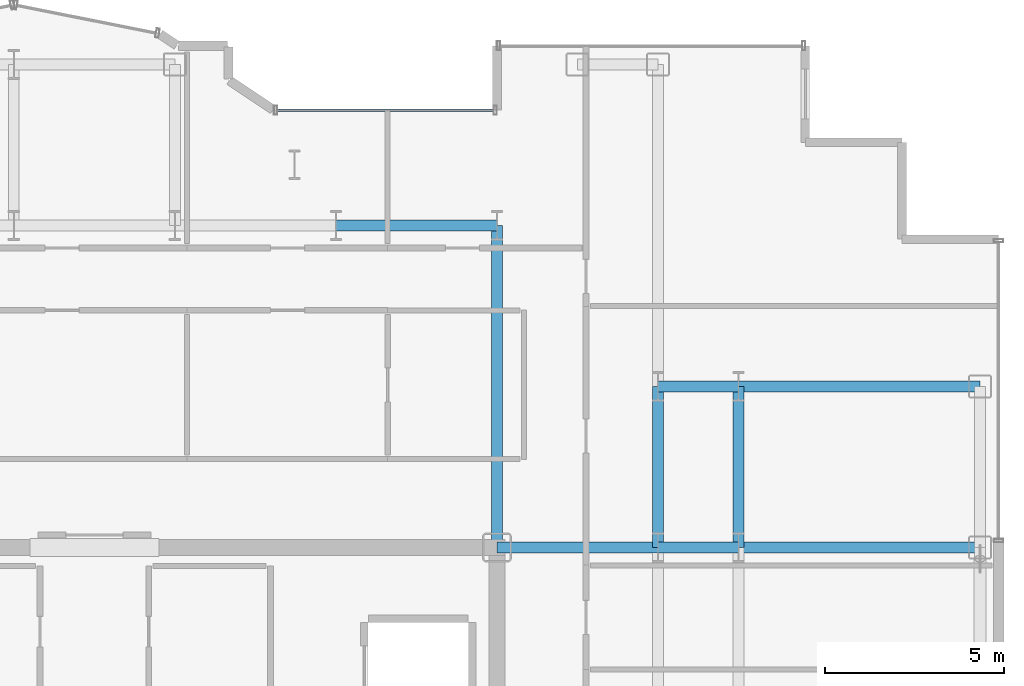
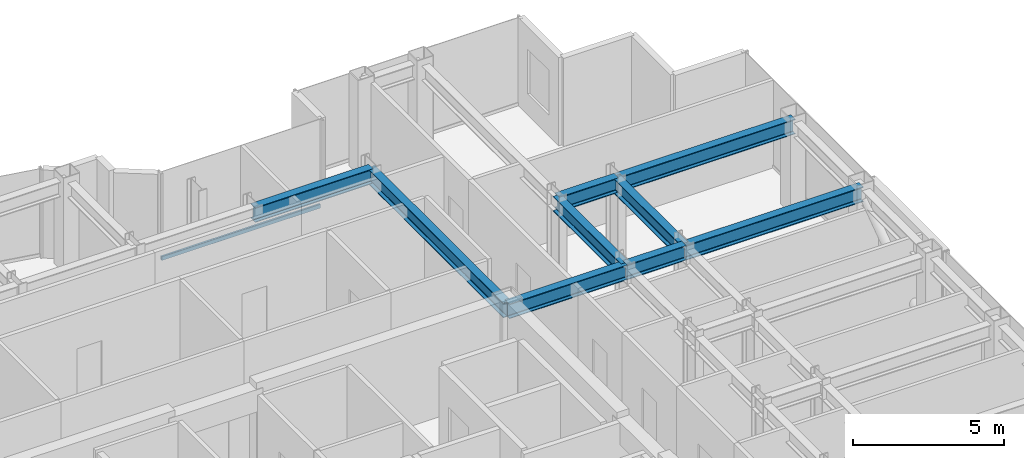
# One storey, part 12 of 21: 9 beams, 1 member, 1 element without a shape of its own.
"""IFC4 building model written with IfcOpenShell, lengths in metres."""

from ifc_helpers import new_model, si_unit, direction, frame, origin, origin_2d, place, context, subcontext, project, spatial, hollow_rectangle, i_section, extrude, source, transform, mapped, material, layer, layer_set, material_profile, profile_set, type_object, element, aggregate, save


model = new_model("IFC4")

# Units and contexts
model_context = context("Model", 3, precision=1e-05, world=origin(), true_north=direction((0.0, 1.0)))
body_context = subcontext(model_context, "Body", "Model", "MODEL_VIEW")
ifc_project = project(units=[si_unit("LENGTHUNIT", "METRE"), si_unit("AREAUNIT", "SQUARE_METRE"), si_unit("VOLUMEUNIT", "CUBIC_METRE"), si_unit("PLANEANGLEUNIT", "RADIAN"), si_unit("MASSUNIT", "GRAM", prefix="KILO")], contexts=[model_context])

# Site, building, storey
site_placement = place(None, origin())
site = spatial("IfcSite", under=ifc_project, at=site_placement, CompositionType="ELEMENT")
building_placement = place(site_placement, origin())
building = spatial("IfcBuilding", under=site, at=building_placement, Name="Nefas-Gora Pilgrimage Tower", CompositionType="ELEMENT")
storey_placement = place(building_placement, frame((0.0, 0.0, 252.199951171875)))
storey = spatial("IfcBuildingStorey", under=building, at=storey_placement, Name="L63", CompositionType="ELEMENT", Elevation=252.199951171875)

# Beams
ifc_material_1 = material(Name="Steel S355", Category="steel")
ifc_material_profile_1 = material_profile(ifc_material_1, i_section(OverallWidth=0.300048828125, OverallDepth=0.60009765625, WebThickness=0.015380859375, FlangeThickness=0.030029296875, FilletRadius=0.027099609375, at=origin_2d()), Name="HEB 600")
ifc_profile_set_1 = profile_set([ifc_material_profile_1], Name="Steel S355")
beam_type = type_object("IfcBeamType", Name="BM-GIR-HEB600", PredefinedType="BEAM", material=ifc_profile_set_1)
shared_shape_1 = source(origin(), body_context, "Body", "SweptSolid", [
    extrude(i_section(OverallWidth=0.300048828125, OverallDepth=0.60009765625, WebThickness=0.015380859375, FlangeThickness=0.030029296875, FilletRadius=0.027099609375, at=origin_2d()), origin(), (0.0, 0.0, 1.0), 9.0),
])
beam_placement = place(storey_placement, frame((11.25, 9.0, 3.25), z_axis=(0.0, 1.0, 0.0), x_axis=(-1.0, 0.0, 0.0)))
element("IfcBeam", 1, at=beam_placement, inside=storey, type_object=beam_type, Name="L63 G-04 beam", PredefinedType="BEAM", context=body_context, shape_type="MappedRepresentation", body=[
    mapped(shared_shape_1, transform((0.0, 0.0, 0.0), x_axis=(1.0, 0.0, 0.0), y_axis=(0.0, 1.0, 0.0), z_axis=(0.0, 0.0, 1.0), scale=1.0)),
])
shared_shape_2 = source(origin(), body_context, "Body", "SweptSolid", [
    extrude(i_section(OverallWidth=0.300048828125, OverallDepth=0.60009765625, WebThickness=0.015380859375, FlangeThickness=0.030029296875, FilletRadius=0.027099609375, at=origin_2d()), origin(), (0.0, 0.0, 1.0), 4.5),
])
for number, where, z_axis, x_axis, name in (
    (2, (6.75, 18.0, 3.25), (1.0, 0.0, 0.0), (0.0, 1.0, 0.0), "L63 G-04 beam"),
    (3, (11.25, 9.0, 3.25), (1.0, 0.0, 0.0), (0.0, 1.0, 0.0), "L63 G-04 beam"),
    (4, (15.75, 9.0, 3.25), (0.0, 1.0, 0.0), (-1.0, 0.0, 0.0), "L63 G-04 beam"),
    (5, (18.0, 9.0, 3.25), (0.0, 1.0, 0.0), (-1.0, 0.0, 0.0), "L63 G-04 beam"),
):
    element("IfcBeam", number, at=place(storey_placement, frame(where, z_axis=z_axis, x_axis=x_axis)), inside=storey, type_object=beam_type, Name=name, PredefinedType="BEAM", context=body_context, shape_type="MappedRepresentation", body=[
        mapped(shared_shape_2, transform((0.0, 0.0, 0.0), x_axis=(1.0, 0.0, 0.0), y_axis=(0.0, 1.0, 0.0), z_axis=(0.0, 0.0, 1.0), scale=1.0)),
    ])
shared_shape_3 = source(origin(), body_context, "Body", "SweptSolid", [
    extrude(i_section(OverallWidth=0.300048828125, OverallDepth=0.60009765625, WebThickness=0.015380859375, FlangeThickness=0.030029296875, FilletRadius=0.027099609375, at=origin_2d()), origin(), (0.0, 0.0, 1.0), 6.75),
])
for number, where, z_axis, x_axis, name in (
    (6, (18.0, 9.0, 3.25), (1.0, 0.0, 0.0), (0.0, 1.0, 0.0), "L63 G-04 beam"),
    (7, (18.0, 13.5, 3.25), (1.0, 0.0, 0.0), (0.0, 1.0, 0.0), "L63 G-04 beam"),
):
    element("IfcBeam", number, at=place(storey_placement, frame(where, z_axis=z_axis, x_axis=x_axis)), inside=storey, type_object=beam_type, Name=name, PredefinedType="BEAM", context=body_context, shape_type="MappedRepresentation", body=[
        mapped(shared_shape_3, transform((0.0, 0.0, 0.0), x_axis=(1.0, 0.0, 0.0), y_axis=(0.0, 1.0, 0.0), z_axis=(0.0, 0.0, 1.0), scale=1.0)),
    ])
shared_shape_4 = source(origin(), body_context, "Body", "SweptSolid", [
    extrude(i_section(OverallWidth=0.300048828125, OverallDepth=0.60009765625, WebThickness=0.015380859375, FlangeThickness=0.030029296875, FilletRadius=0.027099609375, at=origin_2d()), origin(), (0.0, 0.0, 1.0), 2.25),
])
for number, where, z_axis, x_axis, name in (
    (8, (15.75, 9.0, 3.25), (1.0, 0.0, 0.0), (0.0, 1.0, 0.0), "L63 G-04 beam"),
    (9, (15.75, 13.5, 3.25), (1.0, 0.0, 0.0), (0.0, 1.0, 0.0), "L63 G-04 beam"),
):
    element("IfcBeam", number, at=place(storey_placement, frame(where, z_axis=z_axis, x_axis=x_axis)), inside=storey, type_object=beam_type, Name=name, PredefinedType="BEAM", context=body_context, shape_type="MappedRepresentation", body=[
        mapped(shared_shape_4, transform((0.0, 0.0, 0.0), x_axis=(1.0, 0.0, 0.0), y_axis=(0.0, 1.0, 0.0), z_axis=(0.0, 0.0, 1.0), scale=1.0)),
    ])

# Curtain wall, member
ifc_material_2 = material(Name="Dark ceramic-fritted solar-control aluminium-glass curtain wall", Category="aluminium")
ifc_layer = layer(ifc_material_2, 0.219970703125)
ifc_layer_set = layer_set([ifc_layer], Name="Dark ceramic-fritted solar-control aluminium-glass curtain wall")
curtain_wall_type = type_object("IfcCurtainWallType", Name="CW-SYS-5", PredefinedType="NOTDEFINED", material=ifc_layer_set)
curtain_wall_placement = place(storey_placement, origin())
curtain_wall = element("IfcCurtainWall", 10, at=curtain_wall_placement, inside=storey, type_object=curtain_wall_type, Name="L63 Unitised Curtain Wall CW5", PredefinedType="NOTDEFINED")
ifc_material_3 = material(Name="Anodised architectural aluminium", Category="aluminium")
ifc_material_profile_2 = material_profile(ifc_material_3, hollow_rectangle(XDim=0.080078125, YDim=0.159912109375, WallThickness=0.00439453125, InnerFilletRadius=0.00439453125, OuterFilletRadius=0.009033203125, at=origin_2d()), Name="ALU TRANSOM 80x160")
ifc_profile_set_2 = profile_set([ifc_material_profile_2], Name="Anodised architectural aluminium")
member_type = type_object("IfcMemberType", Name="CWM-TRN-5", PredefinedType="USERDEFINED", material=ifc_profile_set_2)
shared_shape_5 = source(origin(), body_context, "Body", "SweptSolid", [
    extrude(hollow_rectangle(XDim=0.080078125, YDim=0.159912109375, WallThickness=0.00439453125, InnerFilletRadius=0.00439453125, OuterFilletRadius=0.009033203125, at=origin_2d()), origin(), (0.0, 0.0, 1.0), 6.052001953125),
])
member_placement = place(storey_placement, frame((11.159912109375, 21.219970703125, 0.050048828125), z_axis=(-1.0, 0.0, 0.0), x_axis=(0.0, -1.0, 0.0)))
member = element("IfcMember", 11, at=member_placement, type_object=member_type, Name="CW5 Spandrel Transom", ObjectType="TRANSOM", PredefinedType="USERDEFINED", context=body_context, shape_type="MappedRepresentation", body=[
    mapped(shared_shape_5, transform((0.0, 0.0, 0.0), x_axis=(1.0, 0.0, 0.0), y_axis=(0.0, 1.0, 0.0), z_axis=(0.0, 0.0, 1.0), scale=1.0)),
])
aggregate(curtain_wall, [member])

save(model, "model.ifc")
